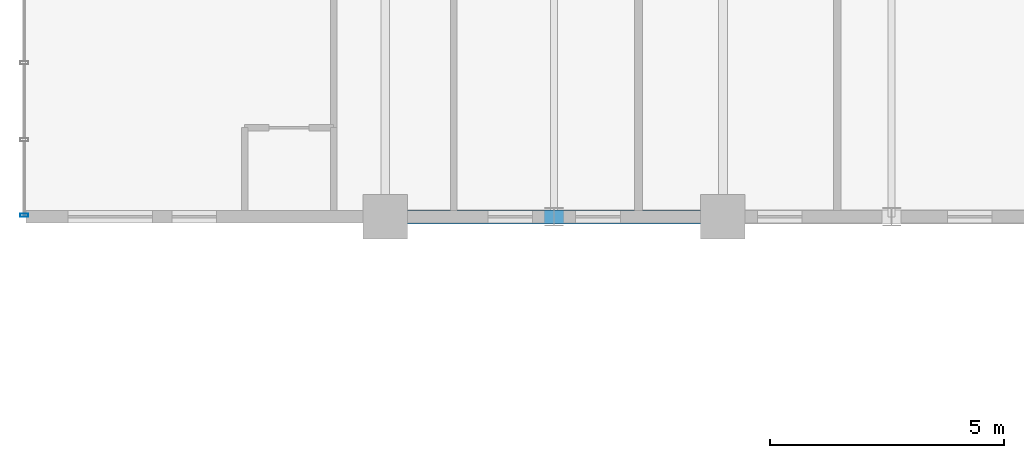
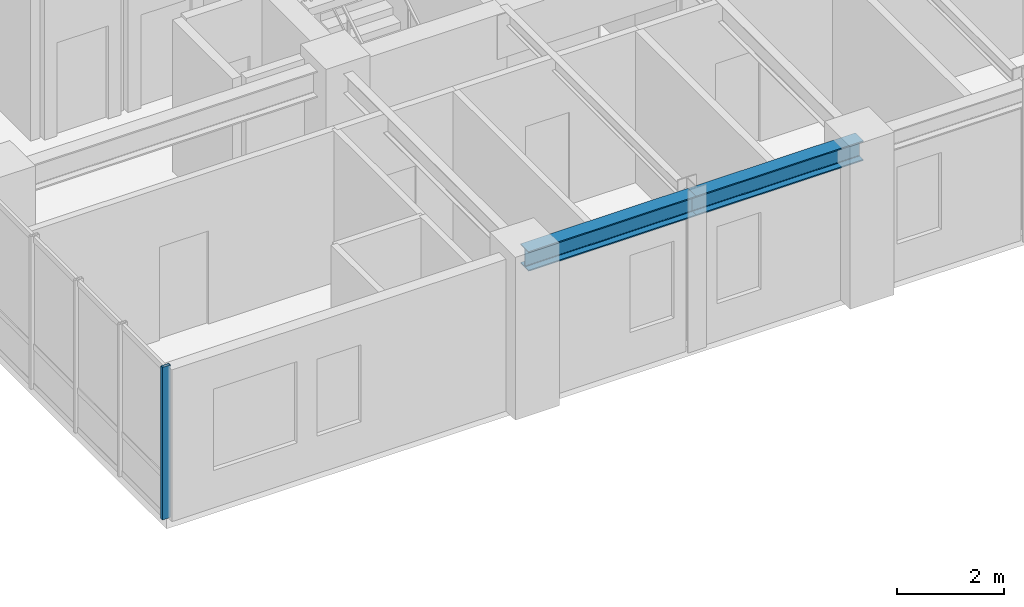
# One storey, part 4 of 20: 2 beams, 1 member, 1 element without a shape of its own.
"""IFC4 building model written with IfcOpenShell, lengths in metres."""

import ifcopenshell
import ifcopenshell.guid

model = None  # the IFC model being written
_history = None  # IfcOwnerHistory: only IFC2X3 demands one
_inside = {}  # id of a spatial element -> (the spatial element, [elements in it])
_under = {}  # id of a project, library or spatial element -> (it, [spatial elements below it])
_declared = {}  # id of a project -> (the project, [libraries it declares])
_typed = {}  # id of a type object -> (the type object, [elements of that type])
_made_of = {}  # id of a material, layer set ... -> (it, [elements and type objects made of it])


def new_model(schema):
    """Start an empty IFC model of exactly this schema.

    Asked for "IFC4X3", IfcOpenShell would pick the latest addendum, in which some entities
    have other attributes; the version numbers below select the first issue.
    IFC2X3 requires an IfcOwnerHistory on every rooted entity: one is made here for all.
    """
    global model, _history
    if schema == "IFC4X3":
        model = ifcopenshell.file(schema_version=(4, 3, 0, 0))
    else:
        model = ifcopenshell.file(schema=schema)
    _inside.clear()
    _under.clear()
    _declared.clear()
    _typed.clear()
    _made_of.clear()
    _history = None
    if model.schema == "IFC2X3":
        org = make("IfcOrganization", Name="unknown")
        user = make(
            "IfcPersonAndOrganization",
            ThePerson=make("IfcPerson", FamilyName="unknown"),
            TheOrganization=org,
        )
        app = make(
            "IfcApplication",
            ApplicationDeveloper=org,
            Version="unknown",
            ApplicationFullName="unknown",
            ApplicationIdentifier="unknown",
        )
        _history = make(
            "IfcOwnerHistory",
            OwningUser=user,
            OwningApplication=app,
            ChangeAction="ADDED",
            CreationDate=0,
        )
    return model


def make(cls, **values):
    """One entity of the class cls with the attributes given. An attribute that is None is left unset."""
    return model.create_entity(
        cls, **{name: value for name, value in values.items() if value is not None}
    )


def rooted(cls, **values):
    """An entity with a GlobalId (a new one), such as an element, a storey or a relation."""
    return make(cls, GlobalId=ifcopenshell.guid.new(), OwnerHistory=_history, **values)


def si_unit(unit_type, name, prefix=None):
    """IfcSIUnit, for example si_unit("LENGTHUNIT", "METRE", prefix="MILLI")."""
    return make("IfcSIUnit", UnitType=unit_type, Prefix=prefix, Name=name)


def assignment(units):
    """IfcUnitAssignment: the units of a project."""
    return None if units is None else make("IfcUnitAssignment", Units=units)


def point(xyz):
    """IfcCartesianPoint."""
    return None if xyz is None else make("IfcCartesianPoint", Coordinates=xyz)


def direction(xyz):
    """IfcDirection."""
    return None if xyz is None else make("IfcDirection", DirectionRatios=xyz)


def frame(location, z_axis=None, x_axis=None):
    """IfcAxis2Placement3D, a coordinate frame: its origin and axes. An axis left out is left unset."""
    return make(
        "IfcAxis2Placement3D",
        Location=point(location),
        Axis=direction(z_axis),
        RefDirection=direction(x_axis),
    )


def frame_2d(location, x_axis=None):
    """IfcAxis2Placement2D, a coordinate frame in the plane: its origin and x axis."""
    return make(
        "IfcAxis2Placement2D", Location=point(location), RefDirection=direction(x_axis)
    )


def origin():
    """The frame at (0, 0, 0) with its axes left unset."""
    return frame((0.0, 0.0, 0.0))


def origin_2d():
    """The frame at (0, 0) in the plane with its x axis left unset."""
    return frame_2d((0.0, 0.0))


def place(relative_to, where):
    """IfcLocalPlacement: puts the frame where relative to a parent placement (None: the world)."""
    return make(
        "IfcLocalPlacement", PlacementRelTo=relative_to, RelativePlacement=where
    )


def context(
    kind, dimensions, precision=None, world=None, true_north=None, identifier=None
):
    """IfcGeometricRepresentationContext, for example the 3D "Model" context."""
    return make(
        "IfcGeometricRepresentationContext",
        ContextIdentifier=identifier,
        ContextType=kind,
        CoordinateSpaceDimension=dimensions,
        Precision=precision,
        WorldCoordinateSystem=world,
        TrueNorth=true_north,
    )


def subcontext(parent, identifier, kind, view, scale=None):
    """IfcGeometricRepresentationSubContext, for example "Body" below "Model"."""
    return make(
        "IfcGeometricRepresentationSubContext",
        ContextIdentifier=identifier,
        ContextType=kind,
        ParentContext=parent,
        TargetScale=scale,
        TargetView=view,
    )


def project(units=None, contexts=None):
    """IfcProject with its units and contexts."""
    return rooted(
        "IfcProject",
        Name="project",
        RepresentationContexts=contexts,
        UnitsInContext=assignment(units),
    )


def spatial(cls, under=None, at=None, **own):
    """A site, building, storey or space (cls), placed at a placement, below another one or the project."""
    s = rooted(cls, ObjectPlacement=at, **own)
    if under is not None:
        _under.setdefault(under.id(), (under, []))[1].append(s)
    return s


def profile(cls, at=None, kind="AREA", **sizes):
    """A parametric profile (cls). Its sizes go by their IFC names, for example OverallWidth=200.0."""
    return make(cls, ProfileType=kind, Position=at, **sizes)


def hollow_rectangle(**sizes):
    """IfcRectangleHollowProfileDef."""
    return profile("IfcRectangleHollowProfileDef", **sizes)


def i_section(**sizes):
    """IfcIShapeProfileDef."""
    return profile("IfcIShapeProfileDef", **sizes)


def extrude(swept, where, along, depth):
    """IfcExtrudedAreaSolid: the profile swept, set in the frame where, extruded along a direction by depth."""
    return make(
        "IfcExtrudedAreaSolid",
        SweptArea=swept,
        Position=where,
        ExtrudedDirection=direction(along),
        Depth=depth,
    )


def shape(context_of_items, identifier, shape_type, items):
    """IfcShapeRepresentation: the items that make up one representation, for example the "Body"."""
    return make(
        "IfcShapeRepresentation",
        ContextOfItems=context_of_items,
        RepresentationIdentifier=identifier,
        RepresentationType=shape_type,
        Items=items,
    )


def source(mapping_origin, context_of_items, identifier, shape_type, items):
    """IfcRepresentationMap: a shape defined once, which mapped items show again and again."""
    return make(
        "IfcRepresentationMap",
        MappingOrigin=mapping_origin,
        MappedRepresentation=shape(context_of_items, identifier, shape_type, items),
    )


def transform(
    local_origin,
    x_axis=None,
    y_axis=None,
    z_axis=None,
    scale=None,
    scale2=None,
    scale3=None,
    uniform=True,
):
    """IfcCartesianTransformationOperator3D, or its non-uniform kind. x_axis, y_axis, z_axis: its Axis1, 2, 3."""
    if uniform:
        return make(
            "IfcCartesianTransformationOperator3D",
            Axis1=direction(x_axis),
            Axis2=direction(y_axis),
            LocalOrigin=point(local_origin),
            Scale=scale,
            Axis3=direction(z_axis),
        )
    return make(
        "IfcCartesianTransformationOperator3DnonUniform",
        Axis1=direction(x_axis),
        Axis2=direction(y_axis),
        LocalOrigin=point(local_origin),
        Scale=scale,
        Axis3=direction(z_axis),
        Scale2=scale2,
        Scale3=scale3,
    )


def mapped(mapping_source, mapping_target):
    """IfcMappedItem: shows the shape of a source again, moved by a transform."""
    return make(
        "IfcMappedItem", MappingSource=mapping_source, MappingTarget=mapping_target
    )


def material(Name=None, Category=None):
    """IfcMaterial."""
    return make("IfcMaterial", Name=Name, Category=Category)


def layer(
    of_material, thickness, ventilated=None, Name=None, Category=None, Priority=None
):
    """IfcMaterialLayer: one layer of a wall or slab, of a material (None: an air gap)."""
    return make(
        "IfcMaterialLayer",
        Material=of_material,
        LayerThickness=thickness,
        IsVentilated=ventilated,
        Name=Name,
        Category=Category,
        Priority=Priority,
    )


def layer_set(layers, Name=None):
    """IfcMaterialLayerSet."""
    return make("IfcMaterialLayerSet", MaterialLayers=layers, LayerSetName=Name)


def material_profile(
    of_material, cross_section, Name=None, Category=None, Priority=None
):
    """IfcMaterialProfile: a cross section and its material."""
    return make(
        "IfcMaterialProfile",
        Name=Name,
        Material=of_material,
        Profile=cross_section,
        Priority=Priority,
        Category=Category,
    )


def profile_set(profiles, Name=None, composite=None):
    """IfcMaterialProfileSet."""
    return make(
        "IfcMaterialProfileSet",
        Name=Name,
        MaterialProfiles=profiles,
        CompositeProfile=composite,
    )


def made_of(thing, what):
    """Note that an element or type object is made of a material, layer set ...; save() writes the relation."""
    if what is not None:
        _made_of.setdefault(what.id(), (what, []))[1].append(thing)
    return thing


def type_object(cls, material=None, **own):
    """A type object (cls), such as IfcWallType, which elements share."""
    return made_of(rooted(cls, **own), material)


def element(
    cls,
    number,
    at=None,
    inside=None,
    cuts=None,
    type_object=None,
    material=None,
    context=None,
    identifier="Body",
    shape_type=None,
    held_by="IfcProductDefinitionShape",
    body=None,
    shapes=None,
    **own,
):
    """One element of the class cls, such as IfcWall. Its Tag is "e" and its number.

    at: its placement. inside: the storey or other place that contains it. cuts: it is an
    opening in that element (IfcRelVoidsElement). A single representation is given by context,
    identifier, shape_type and body (its items); several are given by shapes. held_by: the class
    of the entity that holds the representations. save() writes the other relations.
    """
    e = rooted(cls, Tag="e%d" % number, ObjectPlacement=at, **own)
    if body is not None:
        shapes = [shape(context, identifier, shape_type, body)]
    if shapes is not None:
        e.Representation = make(held_by, Representations=shapes)
    if inside is not None:
        _inside.setdefault(inside.id(), (inside, []))[1].append(e)
    if cuts is not None:
        rooted(
            "IfcRelVoidsElement", RelatingBuildingElement=cuts, RelatedOpeningElement=e
        )
    if type_object is not None:
        _typed.setdefault(type_object.id(), (type_object, []))[1].append(e)
    return made_of(e, material)


def aggregate(whole, parts):
    """IfcRelAggregates: a whole, such as a stair, and the parts it consists of."""
    return rooted("IfcRelAggregates", RelatingObject=whole, RelatedObjects=parts)


def save(model, path):
    """Write the relations noted so far, then the file.

    IfcRelAggregates (storeys below a building ...), IfcRelContainedInSpatialStructure (elements
    in a storey), IfcRelDefinesByType, IfcRelAssociatesMaterial and IfcRelDeclares: one each for
    every whole, place, type object, material and project.
    """
    for whole, parts in _under.values():
        aggregate(whole, parts)
    for where, things in _inside.values():
        rooted(
            "IfcRelContainedInSpatialStructure",
            RelatedElements=things,
            RelatingStructure=where,
        )
    for kind, things in _typed.values():
        rooted("IfcRelDefinesByType", RelatedObjects=things, RelatingType=kind)
    for what, things in _made_of.values():
        rooted("IfcRelAssociatesMaterial", RelatedObjects=things, RelatingMaterial=what)
    for by, libraries in _declared.values():
        rooted("IfcRelDeclares", RelatingContext=by, RelatedDefinitions=libraries)
    model.write(path)


model = new_model("IFC4")

# Units and contexts
model_context = context("Model", 3, precision=1e-05, world=origin(), true_north=direction((0.0, 1.0)))
body_context = subcontext(model_context, "Body", "Model", "MODEL_VIEW")
ifc_project = project(units=[si_unit("LENGTHUNIT", "METRE"), si_unit("AREAUNIT", "SQUARE_METRE"), si_unit("VOLUMEUNIT", "CUBIC_METRE"), si_unit("PLANEANGLEUNIT", "RADIAN"), si_unit("MASSUNIT", "GRAM", prefix="KILO")], contexts=[model_context])

# Site, building, storey
site_placement = place(None, origin())
site = spatial("IfcSite", under=ifc_project, at=site_placement, CompositionType="ELEMENT")
building_placement = place(site_placement, origin())
building = spatial("IfcBuilding", under=site, at=building_placement, Name="Kaliganga Portal Commons", CompositionType="ELEMENT")
storey_placement = place(building_placement, frame((0.0, 0.0, 201.800048828125)))
storey = spatial("IfcBuildingStorey", under=building, at=storey_placement, Name="L51", CompositionType="ELEMENT", Elevation=201.800048828125)

# Beams
ifc_material_1 = material(Name="Structural steel S355J2", Category="steel")
ifc_material_profile_1 = material_profile(ifc_material_1, i_section(OverallWidth=0.300048828125, OverallDepth=0.449951171875, WebThickness=0.013916015625, FlangeThickness=0.02587890625, FilletRadius=0.027099609375, at=origin_2d()), Name="HE 450 B")
ifc_profile_set_1 = profile_set([ifc_material_profile_1], Name="Structural steel S355J2 wide-flange")
beam_type = type_object("IfcBeamType", Name="BM-SPAND-450", PredefinedType="SPANDREL", material=ifc_profile_set_1)
shared_shape_1 = source(origin(), body_context, "Body", "SweptSolid", [
    extrude(i_section(OverallWidth=0.300048828125, OverallDepth=0.449951171875, WebThickness=0.013916015625, FlangeThickness=0.02587890625, FilletRadius=0.027099609375, at=origin_2d()), origin(), (0.0, 0.0, 1.0), 3.60009765625),
])
for number, where, z_axis, x_axis, name in (
    (1, (14.39990234375, 21.60009765625, 3.244873046875), (1.0, 0.0, 0.0), (0.0, 1.0, 0.0), "BM SP L51 AS 1"),
    (2, (18.0, 21.60009765625, 3.244873046875), (1.0, 0.0, 0.0), (0.0, 1.0, 0.0), "BM SP L51 AS 2"),
):
    element("IfcBeam", number, at=place(storey_placement, frame(where, z_axis=z_axis, x_axis=x_axis)), inside=storey, type_object=beam_type, Name=name, PredefinedType="SPANDREL", context=body_context, shape_type="MappedRepresentation", body=[
        mapped(shared_shape_1, transform((0.0, 0.0, 0.0), x_axis=(1.0, 0.0, 0.0), y_axis=(0.0, 1.0, 0.0), z_axis=(0.0, 0.0, 1.0), scale=1.0)),
    ])

# Curtain wall, member
ifc_material_2 = material(Name="Anodized Aluminium and Laminated Low-E Glass", Category="aluminium")
ifc_layer = layer(ifc_material_2, 0.199951171875)
ifc_layer_set = layer_set([ifc_layer], Name="Anodized Aluminium and Laminated Low-E Glass")
curtain_wall_type = type_object("IfcCurtainWallType", Name="CW-SYS-02", PredefinedType="NOTDEFINED", material=ifc_layer_set)
curtain_wall_placement = place(storey_placement, origin())
curtain_wall = element("IfcCurtainWall", 3, at=curtain_wall_placement, inside=storey, type_object=curtain_wall_type, Name="CW 02 L51 P1E03S3", PredefinedType="NOTDEFINED")
ifc_material_3 = material(Name="Dark Bronze Anodized Aluminium", Category="aluminium")
ifc_material_profile_2 = material_profile(ifc_material_3, hollow_rectangle(XDim=0.06494140625, YDim=0.179931640625, WallThickness=0.00390625, at=origin_2d()), Name="ALU MULL 65x180x4")
ifc_profile_set_2 = profile_set([ifc_material_profile_2], Name="Dark Bronze Anodized Aluminium")
member_type = type_object("IfcMemberType", Name="CW-MUL-180", PredefinedType="MULLION", material=ifc_profile_set_2)
shared_shape_2 = source(origin(), body_context, "Body", "SweptSolid", [
    extrude(hollow_rectangle(XDim=0.06494140625, YDim=0.179931640625, WallThickness=0.00390625, at=origin_2d()), origin(), (0.0, 0.0, 1.0), 3.469970703125),
])
member_placement = place(storey_placement, frame((6.699951171875, 21.635009765625, 0.0), z_axis=(0.0, 0.0, 1.0), x_axis=(0.0, -1.0, 0.0)))
member = element("IfcMember", 4, at=member_placement, type_object=member_type, Name="CW:02:L51:P1E03S3 Mullion 04", PredefinedType="MULLION", context=body_context, shape_type="MappedRepresentation", body=[
    mapped(shared_shape_2, transform((0.0, 0.0, 0.0), x_axis=(1.0, 0.0, 0.0), y_axis=(0.0, 1.0, 0.0), z_axis=(0.0, 0.0, 1.0), scale=1.0)),
])
aggregate(curtain_wall, [member])

save(model, "model.ifc")
